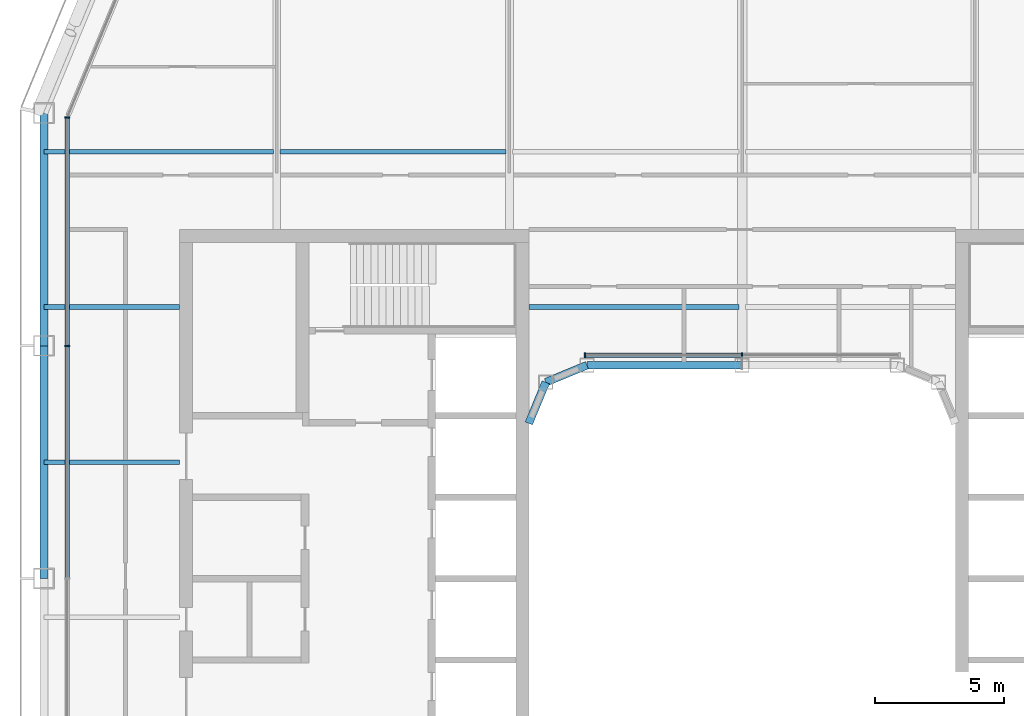
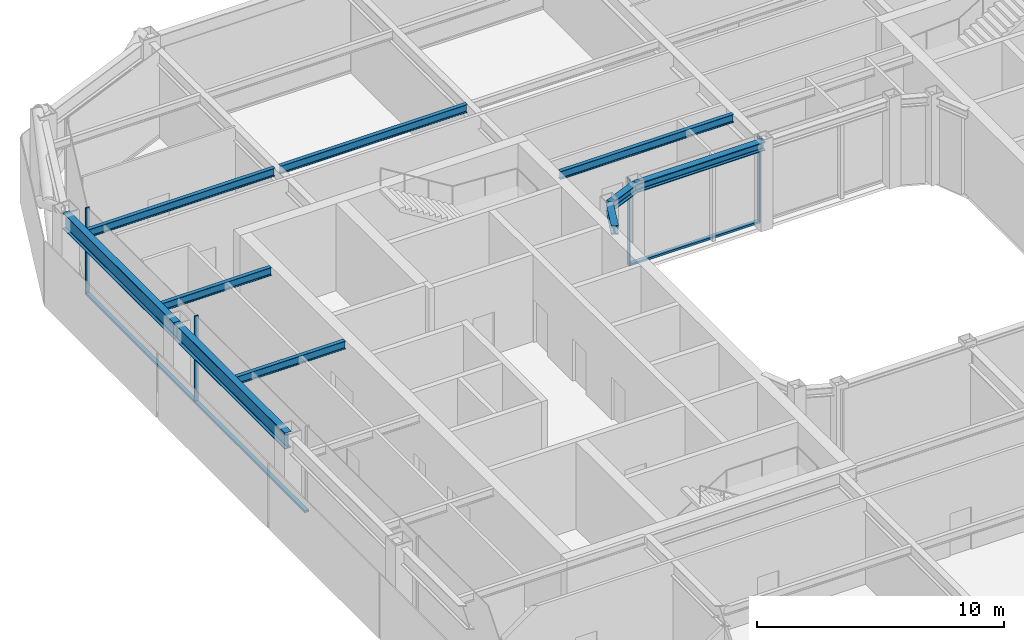
# One storey, part 6 of 23: 10 beams, 7 members, 2 elements without a shape of their own.
"""IFC4 building model written with IfcOpenShell, lengths in metres."""

from ifc_helpers import new_model, si_unit, direction, frame, origin, origin_2d, place, context, subcontext, project, spatial, rectangle, i_section, extrude, material, layer, layer_set, material_profile, profile_set, type_object, element, aggregate, save


model = new_model("IFC4")

# Units and contexts
model_context = context("Model", 3, precision=1e-05, world=origin(), true_north=direction((0.0, 1.0)))
body_context = subcontext(model_context, "Body", "Model", "MODEL_VIEW")
ifc_project = project(units=[si_unit("LENGTHUNIT", "METRE"), si_unit("AREAUNIT", "SQUARE_METRE"), si_unit("VOLUMEUNIT", "CUBIC_METRE"), si_unit("PLANEANGLEUNIT", "RADIAN"), si_unit("MASSUNIT", "GRAM", prefix="KILO")], contexts=[model_context])

# Site, building, storey
site_placement = place(None, origin())
site = spatial("IfcSite", under=ifc_project, at=site_placement, CompositionType="ELEMENT")
building_placement = place(site_placement, origin())
building = spatial("IfcBuilding", under=site, at=building_placement, Name="Siwar Civic Tower", CompositionType="ELEMENT")
storey_placement = place(building_placement, frame((0.0, 0.0, 273.699951171875)))
storey = spatial("IfcBuildingStorey", under=building, at=storey_placement, Name="L59", CompositionType="ELEMENT", Elevation=273.699951171875)

# Curtain wall, members
ifc_material_1 = material(Name="Aluminium and glass", Category="aluminium")
ifc_layer_1 = layer(ifc_material_1, 0.179931640625)
ifc_layer_set_1 = layer_set([ifc_layer_1], Name="Aluminium and glass")
curtain_wall_type_1 = type_object("IfcCurtainWallType", Name="ENV-CW-C", PredefinedType="NOTDEFINED", material=ifc_layer_set_1)
curtain_wall_1_placement = place(storey_placement, origin())
curtain_wall_1 = element("IfcCurtainWall", 1, at=curtain_wall_1_placement, inside=storey, type_object=curtain_wall_type_1, Name="Curtain wall C W", PredefinedType="NOTDEFINED")
ifc_material_2 = material(Name="Aluminium 6063-T6", Category="aluminium")
ifc_material_profile_1 = material_profile(ifc_material_2, rectangle(XDim=0.179931640625, YDim=0.06005859375, at=origin_2d()), Name="AL 180x60")
ifc_profile_set_1 = profile_set([ifc_material_profile_1], Name="Aluminium 6063-T6")
member_type_1 = type_object("IfcMemberType", Name="ENV-MULLION-C", PredefinedType="MULLION", material=ifc_profile_set_1)
member_1_placement = place(storey_placement, frame((-26.10009765625, 17.821044921875, 0.0), z_axis=(0.0, 0.0, 1.0), x_axis=(1.0, 0.0, 0.0)))
member_1 = element("IfcMember", 2, at=member_1_placement, type_object=member_type_1, Name="Mullion C W 1", PredefinedType="MULLION", context=body_context, shape_type="SweptSolid", body=[
    extrude(rectangle(XDim=0.179931640625, YDim=0.06005859375, at=origin_2d()), origin(), (0.0, 0.0, 1.0), 4.300048828125),
])
member_2_placement = place(storey_placement, frame((-26.10009765625, 9.0, 0.0), z_axis=(0.0, 0.0, 1.0), x_axis=(1.0, 0.0, 0.0)))
member_2 = element("IfcMember", 3, at=member_2_placement, type_object=member_type_1, Name="Mullion C W 2", PredefinedType="MULLION", context=body_context, shape_type="SweptSolid", body=[
    extrude(rectangle(XDim=0.179931640625, YDim=0.06005859375, at=origin_2d()), origin(), (0.0, 0.0, 1.0), 4.300048828125),
])

ifc_material_3 = material(Name="Aluminium and glass", Category="aluminium")
ifc_layer_2 = layer(ifc_material_3, 0.179931640625)
ifc_layer_set_2 = layer_set([ifc_layer_2], Name="Aluminium and glass")
curtain_wall_type_2 = type_object("IfcCurtainWallType", Name="ENV-CW-W", PredefinedType="NOTDEFINED", material=ifc_layer_set_2)
curtain_wall_2_placement = place(storey_placement, origin())
curtain_wall_2 = element("IfcCurtainWall", 4, at=curtain_wall_2_placement, inside=storey, type_object=curtain_wall_type_2, Name="Curtain wall W WN", PredefinedType="NOTDEFINED")
ifc_material_4 = material(Name="Aluminium 6063-T6", Category="aluminium")
ifc_material_profile_2 = material_profile(ifc_material_4, rectangle(XDim=0.179931640625, YDim=0.06005859375, at=origin_2d()), Name="AL 180x60")
ifc_profile_set_2 = profile_set([ifc_material_profile_2], Name="Aluminium 6063-T6")
member_type_2 = type_object("IfcMemberType", Name="ENV-MULLION-W", PredefinedType="MULLION", material=ifc_profile_set_2)
member_3_placement = place(storey_placement, frame((0.0, 8.635009765625, 0.0), z_axis=(0.0, 0.0, 1.0), x_axis=(0.0, -1.0, 0.0)))
member_3 = element("IfcMember", 5, at=member_3_placement, type_object=member_type_2, Name="Mullion W WN 2", PredefinedType="MULLION", context=body_context, shape_type="SweptSolid", body=[
    extrude(rectangle(XDim=0.179931640625, YDim=0.06005859375, at=origin_2d()), origin(), (0.0, 0.0, 1.0), 4.300048828125),
])
member_4_placement = place(storey_placement, frame((-6.07666015625, 8.635009765625, 0.0), z_axis=(0.0, 0.0, 1.0), x_axis=(0.0, -1.0, 0.0)))
member_4 = element("IfcMember", 6, at=member_4_placement, type_object=member_type_2, Name="Mullion W WN 3", PredefinedType="MULLION", context=body_context, shape_type="SweptSolid", body=[
    extrude(rectangle(XDim=0.179931640625, YDim=0.06005859375, at=origin_2d()), origin(), (0.0, 0.0, 1.0), 4.300048828125),
])

# Member
ifc_material_5 = material(Name="Aluminium 6063-T6", Category="aluminium")
ifc_material_profile_3 = material_profile(ifc_material_5, rectangle(XDim=0.179931640625, YDim=0.10009765625, at=origin_2d()), Name="AL 180x100")
ifc_profile_set_3 = profile_set([ifc_material_profile_3], Name="Aluminium 6063-T6")
member_type_3 = type_object("IfcMemberType", Name="ENV-TRANSOM-C", PredefinedType="USERDEFINED", material=ifc_profile_set_3)
member_5_placement = place(storey_placement, frame((-26.10009765625, 17.791015625, 0.050048828125), z_axis=(0.0, -1.0, 0.0), x_axis=(1.0, 0.0, 0.0)))
member_5 = element("IfcMember", 7, at=member_5_placement, type_object=member_type_3, Name="Transom C W 1", ObjectType="TRANSOM", PredefinedType="USERDEFINED", context=body_context, shape_type="SweptSolid", body=[
    extrude(rectangle(XDim=0.179931640625, YDim=0.10009765625, at=origin_2d()), origin(), (0.0, 0.0, 1.0), 8.760986328125),
])

member_6_placement = place(storey_placement, frame((-26.10009765625, 8.969970703125, 0.050048828125), z_axis=(0.0, -1.0, 0.0), x_axis=(1.0, 0.0, 0.0)))
member_6 = element("IfcMember", 8, at=member_6_placement, type_object=member_type_3, Name="Transom C W 2", ObjectType="TRANSOM", PredefinedType="USERDEFINED", context=body_context, shape_type="SweptSolid", body=[
    extrude(rectangle(XDim=0.179931640625, YDim=0.10009765625, at=origin_2d()), origin(), (0.0, 0.0, 1.0), 8.93994140625),
])

aggregate(curtain_wall_1, [member_1, member_2, member_5, member_6])

ifc_material_6 = material(Name="Aluminium 6063-T6", Category="aluminium")
ifc_material_profile_4 = material_profile(ifc_material_6, rectangle(XDim=0.179931640625, YDim=0.10009765625, at=origin_2d()), Name="AL 180x100")
ifc_profile_set_4 = profile_set([ifc_material_profile_4], Name="Aluminium 6063-T6")
member_type_4 = type_object("IfcMemberType", Name="ENV-TRANSOM-W", PredefinedType="USERDEFINED", material=ifc_profile_set_4)
member_7_placement = place(storey_placement, frame((-0.030029296875, 8.635009765625, 0.050048828125), z_axis=(-1.0, 0.0, 0.0), x_axis=(0.0, -1.0, 0.0)))
member_7 = element("IfcMember", 9, at=member_7_placement, type_object=member_type_4, Name="Transom W WN 2", ObjectType="TRANSOM", PredefinedType="USERDEFINED", context=body_context, shape_type="SweptSolid", body=[
    extrude(rectangle(XDim=0.179931640625, YDim=0.10009765625, at=origin_2d()), origin(), (0.0, 0.0, 1.0), 6.0166015625),
])

aggregate(curtain_wall_2, [member_3, member_4, member_7])

# Beams
ifc_material_7 = material(Name="Steel S355", Category="steel")
ifc_material_profile_5 = material_profile(ifc_material_7, i_section(OverallWidth=0.179931640625, OverallDepth=0.39990234375, WebThickness=0.008544921875, FlangeThickness=0.013427734375, FilletRadius=0.02099609375, at=origin_2d()), Name="IPE400")
ifc_profile_set_5 = profile_set([ifc_material_profile_5], Name="Steel S355")
beam_type_1 = type_object("IfcBeamType", Name="STR-FB-IPE400", PredefinedType="JOIST", material=ifc_profile_set_5)
for number, where, z_axis, x_axis, name in (
    (10, (-27.0, 4.5, 4.10009765625), (1.0, 0.0, 0.0), (0.0, 1.0, 0.0), "L59/bm/F025"),
    (11, (-27.0, 10.5, 4.10009765625), (1.0, 0.0, 0.0), (0.0, 1.0, 0.0), "L59/bm/F027"),
):
    element("IfcBeam", number, at=place(storey_placement, frame(where, z_axis=z_axis, x_axis=x_axis)), inside=storey, type_object=beam_type_1, Name=name, PredefinedType="JOIST", context=body_context, shape_type="SweptSolid", body=[
        extrude(i_section(OverallWidth=0.179931640625, OverallDepth=0.39990234375, WebThickness=0.008544921875, FlangeThickness=0.013427734375, FilletRadius=0.02099609375, at=origin_2d()), origin(), (0.0, 0.0, 1.0), 5.25),
    ])
beam_1_placement = place(storey_placement, frame((-8.25, 10.5, 4.10009765625), z_axis=(1.0, 0.0, 0.0), x_axis=(0.0, 1.0, 0.0)))
element("IfcBeam", 12, at=beam_1_placement, inside=storey, type_object=beam_type_1, Name="L59/bm/F028", PredefinedType="JOIST", context=body_context, shape_type="SweptSolid", body=[
    extrude(i_section(OverallWidth=0.179931640625, OverallDepth=0.39990234375, WebThickness=0.008544921875, FlangeThickness=0.013427734375, FilletRadius=0.02099609375, at=origin_2d()), origin(), (0.0, 0.0, 1.0), 8.1201171875),
])
beam_2_placement = place(storey_placement, frame((-27.0, 16.5, 4.10009765625), z_axis=(1.0, 0.0, 0.0), x_axis=(0.0, 1.0, 0.0)))
element("IfcBeam", 13, at=beam_2_placement, inside=storey, type_object=beam_type_1, Name="L59/bm/F031", PredefinedType="JOIST", context=body_context, shape_type="SweptSolid", body=[
    extrude(i_section(OverallWidth=0.179931640625, OverallDepth=0.39990234375, WebThickness=0.008544921875, FlangeThickness=0.013427734375, FilletRadius=0.02099609375, at=origin_2d()), origin(), (0.0, 0.0, 1.0), 8.8701171875),
])
beam_3_placement = place(storey_placement, frame((-17.8701171875, 16.5, 4.10009765625), z_axis=(1.0, 0.0, 0.0), x_axis=(0.0, 1.0, 0.0)))
element("IfcBeam", 14, at=beam_3_placement, inside=storey, type_object=beam_type_1, Name="L59/bm/F032", PredefinedType="JOIST", context=body_context, shape_type="SweptSolid", body=[
    extrude(i_section(OverallWidth=0.179931640625, OverallDepth=0.39990234375, WebThickness=0.008544921875, FlangeThickness=0.013427734375, FilletRadius=0.02099609375, at=origin_2d()), origin(), (0.0, 0.0, 1.0), 8.740234375),
])
ifc_material_8 = material(Name="Steel S355", Category="steel")
ifc_material_profile_6 = material_profile(ifc_material_8, i_section(OverallWidth=0.306884765625, OverallDepth=0.431884765625, WebThickness=0.02099609375, FlangeThickness=0.0400390625, FilletRadius=0.027099609375, at=origin_2d()), Name="HEM400")
ifc_profile_set_6 = profile_set([ifc_material_profile_6], Name="Steel S355")
beam_type_2 = type_object("IfcBeamType", Name="STR-RB-HEM400", PredefinedType="BEAM", material=ifc_profile_set_6)
beam_4_placement = place(storey_placement, frame((-7.591064453125, 7.591064453125, 4.083984375), z_axis=(0.923901072997, 0.382631424892, 0.0), x_axis=(-0.382631424892, 0.923901072997, 0.0)))
element("IfcBeam", 15, at=beam_4_placement, inside=storey, type_object=beam_type_2, Name="L59/bm/RN0", PredefinedType="BEAM", context=body_context, shape_type="SweptSolid", body=[
    extrude(i_section(OverallWidth=0.306884765625, OverallDepth=0.431884765625, WebThickness=0.02099609375, FlangeThickness=0.0400390625, FilletRadius=0.027099609375, at=origin_2d()), origin(), (0.0, 0.0, 1.0), 1.72216796875),
])
beam_5_placement = place(storey_placement, frame((-6.0, 8.25, 4.083984375), z_axis=(1.0, 0.0, 0.0), x_axis=(0.0, 1.0, 0.0)))
element("IfcBeam", 16, at=beam_5_placement, inside=storey, type_object=beam_type_2, Name="L59/bm/RN1", PredefinedType="BEAM", context=body_context, shape_type="SweptSolid", body=[
    extrude(i_section(OverallWidth=0.306884765625, OverallDepth=0.431884765625, WebThickness=0.02099609375, FlangeThickness=0.0400390625, FilletRadius=0.027099609375, at=origin_2d()), origin(), (0.0, 0.0, 1.0), 6.0),
])
beam_6_placement = place(storey_placement, frame((-7.591064453125, 7.591064453125, 4.083984375), z_axis=(-0.382631424892, -0.923901072997, 0.0), x_axis=(0.923901072997, -0.382631424892, 0.0)))
element("IfcBeam", 17, at=beam_6_placement, inside=storey, type_object=beam_type_2, Name="L59/bm/RNEW", PredefinedType="BEAM", context=body_context, shape_type="SweptSolid", body=[
    extrude(i_section(OverallWidth=0.306884765625, OverallDepth=0.431884765625, WebThickness=0.02099609375, FlangeThickness=0.0400390625, FilletRadius=0.027099609375, at=origin_2d()), origin(), (0.0, 0.0, 1.0), 1.72216796875),
])
ifc_material_9 = material(Name="Steel S355", Category="steel")
ifc_material_profile_7 = material_profile(ifc_material_9, i_section(OverallWidth=0.300048828125, OverallDepth=0.800048828125, WebThickness=0.017578125, FlangeThickness=0.032958984375, FilletRadius=0.030029296875, at=origin_2d()), Name="HEB800")
ifc_profile_set_7 = profile_set([ifc_material_profile_7], Name="Steel S355")
beam_type_3 = type_object("IfcBeamType", Name="STR-SB-HEB800", PredefinedType="BEAM", material=ifc_profile_set_7)
for number, where, z_axis, x_axis, name in (
    (18, (-27.0, 18.0, 3.900146484375), (0.0, -1.0, 0.0), (1.0, 0.0, 0.0), "L59/bm/SW-0"),
    (19, (-27.0, 9.0, 3.900146484375), (0.0, -1.0, 0.0), (1.0, 0.0, 0.0), "L59/bm/SW-1"),
):
    element("IfcBeam", number, at=place(storey_placement, frame(where, z_axis=z_axis, x_axis=x_axis)), inside=storey, type_object=beam_type_3, Name=name, PredefinedType="BEAM", context=body_context, shape_type="SweptSolid", body=[
        extrude(i_section(OverallWidth=0.300048828125, OverallDepth=0.800048828125, WebThickness=0.017578125, FlangeThickness=0.032958984375, FilletRadius=0.030029296875, at=origin_2d()), origin(), (0.0, 0.0, 1.0), 9.0),
    ])

save(model, "model.ifc")
